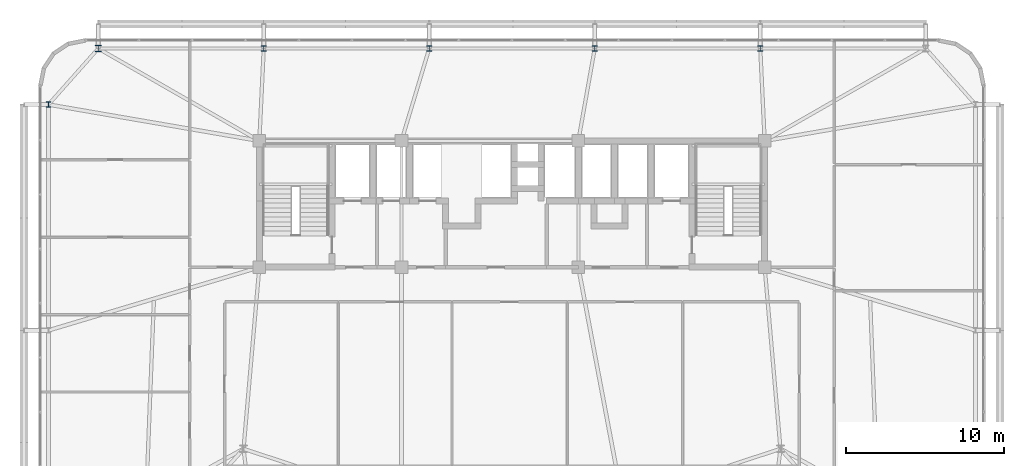
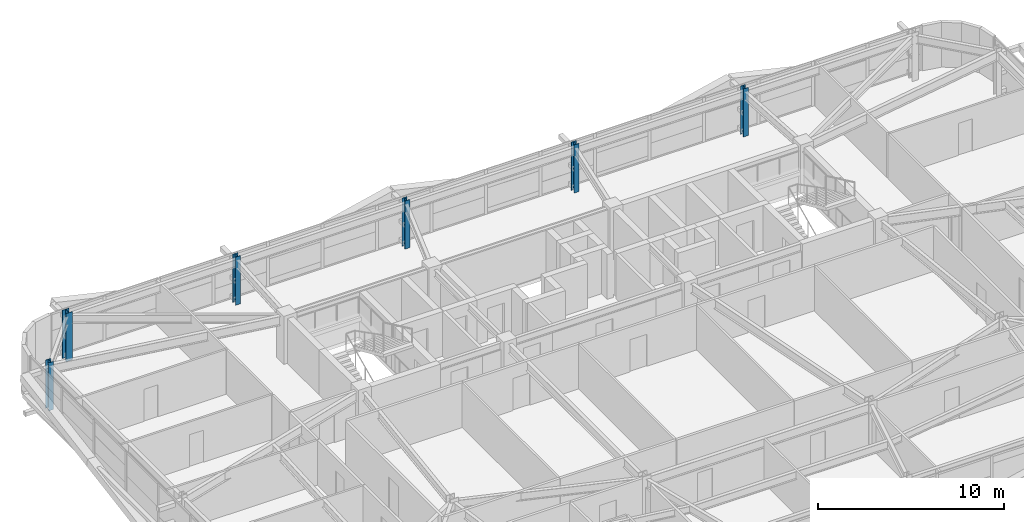
# One storey, part 3 of 58: 6 columns.
"""IFC4 building model written with IfcOpenShell, lengths in metres."""

import ifcopenshell
import ifcopenshell.guid

model = None  # the IFC model being written
_history = None  # IfcOwnerHistory: only IFC2X3 demands one
_inside = {}  # id of a spatial element -> (the spatial element, [elements in it])
_under = {}  # id of a project, library or spatial element -> (it, [spatial elements below it])
_declared = {}  # id of a project -> (the project, [libraries it declares])
_typed = {}  # id of a type object -> (the type object, [elements of that type])
_made_of = {}  # id of a material, layer set ... -> (it, [elements and type objects made of it])


def new_model(schema):
    """Start an empty IFC model of exactly this schema.

    Asked for "IFC4X3", IfcOpenShell would pick the latest addendum, in which some entities
    have other attributes; the version numbers below select the first issue.
    IFC2X3 requires an IfcOwnerHistory on every rooted entity: one is made here for all.
    """
    global model, _history
    if schema == "IFC4X3":
        model = ifcopenshell.file(schema_version=(4, 3, 0, 0))
    else:
        model = ifcopenshell.file(schema=schema)
    _inside.clear()
    _under.clear()
    _declared.clear()
    _typed.clear()
    _made_of.clear()
    _history = None
    if model.schema == "IFC2X3":
        org = make("IfcOrganization", Name="unknown")
        user = make(
            "IfcPersonAndOrganization",
            ThePerson=make("IfcPerson", FamilyName="unknown"),
            TheOrganization=org,
        )
        app = make(
            "IfcApplication",
            ApplicationDeveloper=org,
            Version="unknown",
            ApplicationFullName="unknown",
            ApplicationIdentifier="unknown",
        )
        _history = make(
            "IfcOwnerHistory",
            OwningUser=user,
            OwningApplication=app,
            ChangeAction="ADDED",
            CreationDate=0,
        )
    return model


def make(cls, **values):
    """One entity of the class cls with the attributes given. An attribute that is None is left unset."""
    return model.create_entity(
        cls, **{name: value for name, value in values.items() if value is not None}
    )


def rooted(cls, **values):
    """An entity with a GlobalId (a new one), such as an element, a storey or a relation."""
    return make(cls, GlobalId=ifcopenshell.guid.new(), OwnerHistory=_history, **values)


def si_unit(unit_type, name, prefix=None):
    """IfcSIUnit, for example si_unit("LENGTHUNIT", "METRE", prefix="MILLI")."""
    return make("IfcSIUnit", UnitType=unit_type, Prefix=prefix, Name=name)


def assignment(units):
    """IfcUnitAssignment: the units of a project."""
    return None if units is None else make("IfcUnitAssignment", Units=units)


def point(xyz):
    """IfcCartesianPoint."""
    return None if xyz is None else make("IfcCartesianPoint", Coordinates=xyz)


def direction(xyz):
    """IfcDirection."""
    return None if xyz is None else make("IfcDirection", DirectionRatios=xyz)


def frame(location, z_axis=None, x_axis=None):
    """IfcAxis2Placement3D, a coordinate frame: its origin and axes. An axis left out is left unset."""
    return make(
        "IfcAxis2Placement3D",
        Location=point(location),
        Axis=direction(z_axis),
        RefDirection=direction(x_axis),
    )


def frame_2d(location, x_axis=None):
    """IfcAxis2Placement2D, a coordinate frame in the plane: its origin and x axis."""
    return make(
        "IfcAxis2Placement2D", Location=point(location), RefDirection=direction(x_axis)
    )


def origin():
    """The frame at (0, 0, 0) with its axes left unset."""
    return frame((0.0, 0.0, 0.0))


def origin_2d():
    """The frame at (0, 0) in the plane with its x axis left unset."""
    return frame_2d((0.0, 0.0))


def place(relative_to, where):
    """IfcLocalPlacement: puts the frame where relative to a parent placement (None: the world)."""
    return make(
        "IfcLocalPlacement", PlacementRelTo=relative_to, RelativePlacement=where
    )


def context(
    kind, dimensions, precision=None, world=None, true_north=None, identifier=None
):
    """IfcGeometricRepresentationContext, for example the 3D "Model" context."""
    return make(
        "IfcGeometricRepresentationContext",
        ContextIdentifier=identifier,
        ContextType=kind,
        CoordinateSpaceDimension=dimensions,
        Precision=precision,
        WorldCoordinateSystem=world,
        TrueNorth=true_north,
    )


def subcontext(parent, identifier, kind, view, scale=None):
    """IfcGeometricRepresentationSubContext, for example "Body" below "Model"."""
    return make(
        "IfcGeometricRepresentationSubContext",
        ContextIdentifier=identifier,
        ContextType=kind,
        ParentContext=parent,
        TargetScale=scale,
        TargetView=view,
    )


def project(units=None, contexts=None):
    """IfcProject with its units and contexts."""
    return rooted(
        "IfcProject",
        Name="project",
        RepresentationContexts=contexts,
        UnitsInContext=assignment(units),
    )


def spatial(cls, under=None, at=None, **own):
    """A site, building, storey or space (cls), placed at a placement, below another one or the project."""
    s = rooted(cls, ObjectPlacement=at, **own)
    if under is not None:
        _under.setdefault(under.id(), (under, []))[1].append(s)
    return s


def profile(cls, at=None, kind="AREA", **sizes):
    """A parametric profile (cls). Its sizes go by their IFC names, for example OverallWidth=200.0."""
    return make(cls, ProfileType=kind, Position=at, **sizes)


def i_section(**sizes):
    """IfcIShapeProfileDef."""
    return profile("IfcIShapeProfileDef", **sizes)


def extrude(swept, where, along, depth):
    """IfcExtrudedAreaSolid: the profile swept, set in the frame where, extruded along a direction by depth."""
    return make(
        "IfcExtrudedAreaSolid",
        SweptArea=swept,
        Position=where,
        ExtrudedDirection=direction(along),
        Depth=depth,
    )


def shape(context_of_items, identifier, shape_type, items):
    """IfcShapeRepresentation: the items that make up one representation, for example the "Body"."""
    return make(
        "IfcShapeRepresentation",
        ContextOfItems=context_of_items,
        RepresentationIdentifier=identifier,
        RepresentationType=shape_type,
        Items=items,
    )


def source(mapping_origin, context_of_items, identifier, shape_type, items):
    """IfcRepresentationMap: a shape defined once, which mapped items show again and again."""
    return make(
        "IfcRepresentationMap",
        MappingOrigin=mapping_origin,
        MappedRepresentation=shape(context_of_items, identifier, shape_type, items),
    )


def transform(
    local_origin,
    x_axis=None,
    y_axis=None,
    z_axis=None,
    scale=None,
    scale2=None,
    scale3=None,
    uniform=True,
):
    """IfcCartesianTransformationOperator3D, or its non-uniform kind. x_axis, y_axis, z_axis: its Axis1, 2, 3."""
    if uniform:
        return make(
            "IfcCartesianTransformationOperator3D",
            Axis1=direction(x_axis),
            Axis2=direction(y_axis),
            LocalOrigin=point(local_origin),
            Scale=scale,
            Axis3=direction(z_axis),
        )
    return make(
        "IfcCartesianTransformationOperator3DnonUniform",
        Axis1=direction(x_axis),
        Axis2=direction(y_axis),
        LocalOrigin=point(local_origin),
        Scale=scale,
        Axis3=direction(z_axis),
        Scale2=scale2,
        Scale3=scale3,
    )


def mapped(mapping_source, mapping_target):
    """IfcMappedItem: shows the shape of a source again, moved by a transform."""
    return make(
        "IfcMappedItem", MappingSource=mapping_source, MappingTarget=mapping_target
    )


def material(Name=None, Category=None):
    """IfcMaterial."""
    return make("IfcMaterial", Name=Name, Category=Category)


def material_profile(
    of_material, cross_section, Name=None, Category=None, Priority=None
):
    """IfcMaterialProfile: a cross section and its material."""
    return make(
        "IfcMaterialProfile",
        Name=Name,
        Material=of_material,
        Profile=cross_section,
        Priority=Priority,
        Category=Category,
    )


def profile_set(profiles, Name=None, composite=None):
    """IfcMaterialProfileSet."""
    return make(
        "IfcMaterialProfileSet",
        Name=Name,
        MaterialProfiles=profiles,
        CompositeProfile=composite,
    )


def made_of(thing, what):
    """Note that an element or type object is made of a material, layer set ...; save() writes the relation."""
    if what is not None:
        _made_of.setdefault(what.id(), (what, []))[1].append(thing)
    return thing


def type_object(cls, material=None, **own):
    """A type object (cls), such as IfcWallType, which elements share."""
    return made_of(rooted(cls, **own), material)


def element(
    cls,
    number,
    at=None,
    inside=None,
    cuts=None,
    type_object=None,
    material=None,
    context=None,
    identifier="Body",
    shape_type=None,
    held_by="IfcProductDefinitionShape",
    body=None,
    shapes=None,
    **own,
):
    """One element of the class cls, such as IfcWall. Its Tag is "e" and its number.

    at: its placement. inside: the storey or other place that contains it. cuts: it is an
    opening in that element (IfcRelVoidsElement). A single representation is given by context,
    identifier, shape_type and body (its items); several are given by shapes. held_by: the class
    of the entity that holds the representations. save() writes the other relations.
    """
    e = rooted(cls, Tag="e%d" % number, ObjectPlacement=at, **own)
    if body is not None:
        shapes = [shape(context, identifier, shape_type, body)]
    if shapes is not None:
        e.Representation = make(held_by, Representations=shapes)
    if inside is not None:
        _inside.setdefault(inside.id(), (inside, []))[1].append(e)
    if cuts is not None:
        rooted(
            "IfcRelVoidsElement", RelatingBuildingElement=cuts, RelatedOpeningElement=e
        )
    if type_object is not None:
        _typed.setdefault(type_object.id(), (type_object, []))[1].append(e)
    return made_of(e, material)


def aggregate(whole, parts):
    """IfcRelAggregates: a whole, such as a stair, and the parts it consists of."""
    return rooted("IfcRelAggregates", RelatingObject=whole, RelatedObjects=parts)


def save(model, path):
    """Write the relations noted so far, then the file.

    IfcRelAggregates (storeys below a building ...), IfcRelContainedInSpatialStructure (elements
    in a storey), IfcRelDefinesByType, IfcRelAssociatesMaterial and IfcRelDeclares: one each for
    every whole, place, type object, material and project.
    """
    for whole, parts in _under.values():
        aggregate(whole, parts)
    for where, things in _inside.values():
        rooted(
            "IfcRelContainedInSpatialStructure",
            RelatedElements=things,
            RelatingStructure=where,
        )
    for kind, things in _typed.values():
        rooted("IfcRelDefinesByType", RelatedObjects=things, RelatingType=kind)
    for what, things in _made_of.values():
        rooted("IfcRelAssociatesMaterial", RelatedObjects=things, RelatingMaterial=what)
    for by, libraries in _declared.values():
        rooted("IfcRelDeclares", RelatingContext=by, RelatedDefinitions=libraries)
    model.write(path)


model = new_model("IFC4")

# Units and contexts
model_context = context("Model", 3, precision=1e-05, world=origin(), true_north=direction((0.0, 1.0)))
body_context = subcontext(model_context, "Body", "Model", "MODEL_VIEW")
ifc_project = project(units=[si_unit("LENGTHUNIT", "METRE"), si_unit("AREAUNIT", "SQUARE_METRE"), si_unit("VOLUMEUNIT", "CUBIC_METRE"), si_unit("PLANEANGLEUNIT", "RADIAN"), si_unit("MASSUNIT", "GRAM", prefix="KILO")], contexts=[model_context])

# Site, building, storey
site_placement = place(None, origin())
site = spatial("IfcSite", under=ifc_project, at=site_placement, CompositionType="ELEMENT")
building_placement = place(site_placement, origin())
building = spatial("IfcBuilding", under=site, at=building_placement, Name="Taldren Reach Tower", CompositionType="ELEMENT")
storey_placement = place(building_placement, frame((0.0, 0.0, 32.550048828125)))
storey = spatial("IfcBuildingStorey", under=building, at=storey_placement, Name="L09", CompositionType="ELEMENT", Elevation=32.550048828125)

# Columns
ifc_material = material(Name="Steel Gr 350 (350PLUS)", Category="steel")
ifc_material_profile_1 = material_profile(ifc_material, i_section(OverallWidth=0.39990234375, OverallDepth=0.39599609375, WebThickness=0.02197265625, FlangeThickness=0.033935546875, at=origin_2d()), Name="400WC270")
ifc_profile_set_1 = profile_set([ifc_material_profile_1], Name="Steel Gr 350 (350PLUS)")
column_type_1 = type_object("IfcColumnType", Name="COL-WC400", PredefinedType="COLUMN", material=ifc_profile_set_1)
shared_shape_1 = source(origin(), body_context, "Body", "SweptSolid", [
    extrude(i_section(OverallWidth=0.39990234375, OverallDepth=0.39599609375, WebThickness=0.02197265625, FlangeThickness=0.033935546875, at=origin_2d()), origin(), (0.0, 0.0, 1.0), 3.14990234375),
])
column_placement = place(storey_placement, frame((8.800048828125, 37.85009765625, 0.0), z_axis=(0.0, 0.0, 1.0), x_axis=(1.0, 0.0, 0.0)))
element("IfcColumn", 1, at=column_placement, inside=storey, type_object=column_type_1, Name="Block B1 perimeter column N1 L09", PredefinedType="COLUMN", context=body_context, shape_type="MappedRepresentation", body=[
    mapped(shared_shape_1, transform((0.0, 0.0, 0.0), scale=1.0)),
])
ifc_material_profile_2 = material_profile(ifc_material, i_section(OverallWidth=0.31103515625, OverallDepth=0.326904296875, WebThickness=0.015625, FlangeThickness=0.02490234375, at=origin_2d()), Name="310UC158")
ifc_profile_set_2 = profile_set([ifc_material_profile_2], Name="Steel Gr 350 (350PLUS)")
column_type_2 = type_object("IfcColumnType", Name="COL-UC310A", PredefinedType="COLUMN", material=ifc_profile_set_2)
shared_shape_2 = source(origin(), body_context, "Body", "SweptSolid", [
    extrude(i_section(OverallWidth=0.31103515625, OverallDepth=0.326904296875, WebThickness=0.015625, FlangeThickness=0.02490234375, at=origin_2d()), origin(), (0.0, 0.0, 1.0), 3.14990234375),
])
for number, where, z_axis, x_axis, name in (
    (2, (19.280029296875, 37.85009765625, 0.0), (0.0, 0.0, 1.0), (1.0, 0.0, 0.0), "Block B1 perimeter column N2 L09"),
    (3, (29.760009765625, 37.85009765625, 0.0), (0.0, 0.0, 1.0), (1.0, 0.0, 0.0), "Block B1 perimeter column N3 L09"),
    (4, (40.239990234375, 37.85009765625, 0.0), (0.0, 0.0, 1.0), (1.0, 0.0, 0.0), "Block B1 perimeter column N4 L09"),
    (5, (50.719970703125, 37.85009765625, 0.0), (0.0, 0.0, 1.0), (1.0, 0.0, 0.0), "Block B1 perimeter column N5 L09"),
    (6, (5.64990234375, 34.300048828125, 0.0), (0.0, 0.0, 1.0), (1.0, 0.0, 0.0), "Block B1 perimeter column W3 L09"),
):
    element("IfcColumn", number, at=place(storey_placement, frame(where, z_axis=z_axis, x_axis=x_axis)), inside=storey, type_object=column_type_2, Name=name, PredefinedType="COLUMN", context=body_context, shape_type="MappedRepresentation", body=[
        mapped(shared_shape_2, transform((0.0, 0.0, 0.0), scale=1.0)),
    ])

save(model, "model.ifc")
